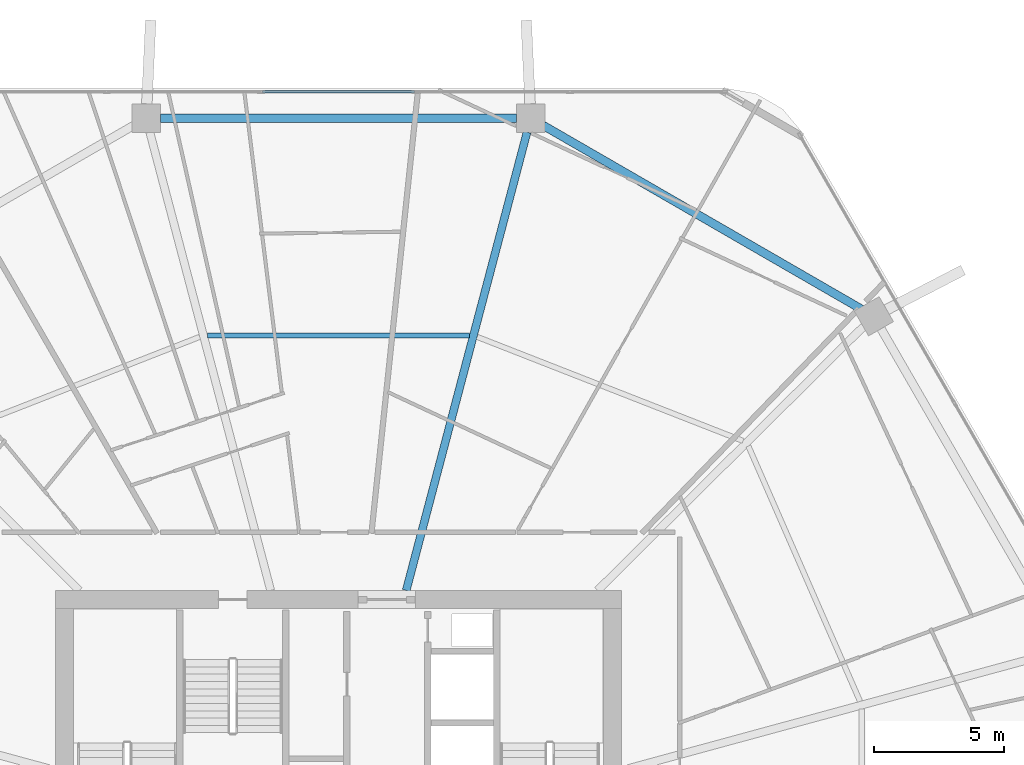
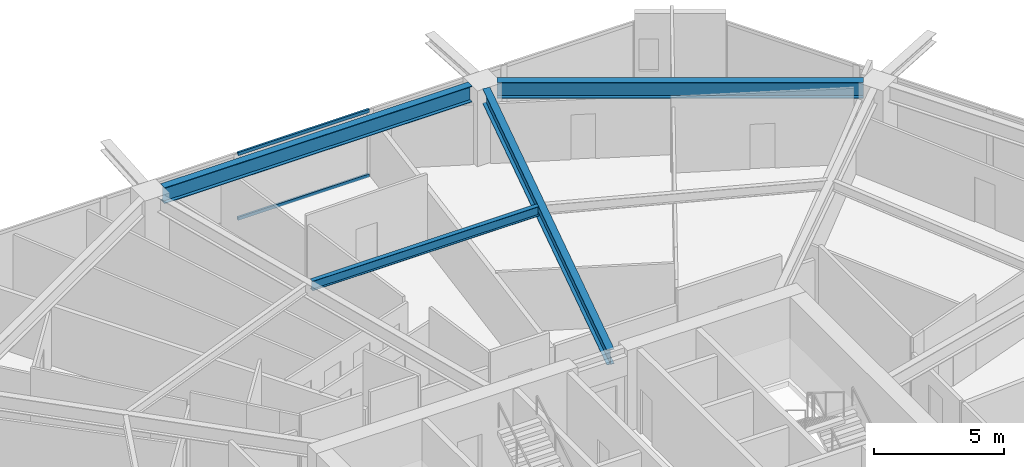
# One storey, part 19 of 33: 4 beams, 2 members, 1 element without a shape of its own.
"""IFC4 building model written with IfcOpenShell, lengths in metres."""

from ifc_helpers import new_model, si_unit, direction, frame, origin, origin_2d, place, context, subcontext, project, spatial, hollow_rectangle, i_section, extrude, material, material_profile, profile_set, type_object, element, aggregate, save


model = new_model("IFC4")

# Units and contexts
model_context = context("Model", 3, precision=1e-05, world=origin(), true_north=direction((0.0, 1.0)))
body_context = subcontext(model_context, "Body", "Model", "MODEL_VIEW")
ifc_project = project(units=[si_unit("LENGTHUNIT", "METRE"), si_unit("AREAUNIT", "SQUARE_METRE"), si_unit("VOLUMEUNIT", "CUBIC_METRE"), si_unit("PLANEANGLEUNIT", "RADIAN"), si_unit("MASSUNIT", "GRAM", prefix="KILO")], contexts=[model_context])

# Site, building, storey
site_placement = place(None, origin())
site = spatial("IfcSite", under=ifc_project, at=site_placement, CompositionType="ELEMENT")
building_placement = place(site_placement, origin())
building = spatial("IfcBuilding", under=site, at=building_placement, Name="Zuhravey Tower", CompositionType="ELEMENT")
storey_placement = place(building_placement, frame((0.0, 0.0, 96.199951171875)))
storey = spatial("IfcBuildingStorey", under=building, at=storey_placement, Name="L23", CompositionType="ELEMENT", Elevation=96.199951171875)

# Curtain wall, members
ifc_material_1 = material(Name="Thermally broken anodised aluminium", Category="aluminium")
curtain_wall_type = type_object("IfcCurtainWallType", Name="Zone 1-2 Residential Curtain Wall CW3", PredefinedType="NOTDEFINED", material=ifc_material_1)
curtain_wall_placement = place(storey_placement, origin())
curtain_wall = element("IfcCurtainWall", 1, at=curtain_wall_placement, inside=storey, type_object=curtain_wall_type, Name="L23 CW3 CW-L23-F2-1", PredefinedType="NOTDEFINED")
ifc_material_2 = material(Name="Anodised aluminium", Category="aluminium")
ifc_material_profile_1 = material_profile(ifc_material_2, hollow_rectangle(XDim=0.090087890625, YDim=0.14990234375, WallThickness=0.0048828125, at=origin_2d()), Name="ALU-RHS-90x150x5")
ifc_profile_set_1 = profile_set([ifc_material_profile_1], Name="Anodised aluminium")
member_type = type_object("IfcMemberType", Name="Curtain-Wall Transom 90x150", PredefinedType="USERDEFINED", material=ifc_profile_set_1)
member_1_placement = place(storey_placement, frame((33.085205078125, 60.95849609375, 0.045166015625), z_axis=(1.0, 0.0, 0.0), x_axis=(0.0, 1.0, 0.0)))
member_1 = element("IfcMember", 2, at=member_1_placement, type_object=member_type, Name="CW3 transom 3.1", ObjectType="TRANSOM", PredefinedType="USERDEFINED", context=body_context, shape_type="SweptSolid", body=[
    extrude(hollow_rectangle(XDim=0.090087890625, YDim=0.14990234375, WallThickness=0.0048828125, at=origin_2d()), origin(), (0.0, 0.0, 1.0), 5.82958984375),
])
member_2_placement = place(storey_placement, frame((33.085205078125, 60.95849609375, 3.0771484375), z_axis=(1.0, 0.0, 0.0), x_axis=(0.0, 1.0, 0.0)))
member_2 = element("IfcMember", 3, at=member_2_placement, type_object=member_type, Name="CW3 transom 3.2", ObjectType="TRANSOM", PredefinedType="USERDEFINED", context=body_context, shape_type="SweptSolid", body=[
    extrude(hollow_rectangle(XDim=0.090087890625, YDim=0.14990234375, WallThickness=0.0048828125, at=origin_2d()), origin(), (0.0, 0.0, 1.0), 5.82958984375),
])
aggregate(curtain_wall, [member_1, member_2])

# Beams
ifc_material_3 = material(Name="Steel SM355", Category="steel")
ifc_material_profile_2 = material_profile(ifc_material_3, i_section(OverallWidth=0.320068359375, OverallDepth=0.75, WebThickness=0.013916015625, FlangeThickness=0.02490234375, at=origin_2d()), Name="H-750x320x14x25")
ifc_profile_set_2 = profile_set([ifc_material_profile_2], Name="Steel SM355")
beam_type_1 = type_object("IfcBeamType", Name="Perimeter Ring Beam H750x320", PredefinedType="BEAM", material=ifc_profile_set_2)
beam_1_placement = place(storey_placement, frame((56.0400390625, 52.63330078125, 3.175048828125), z_axis=(-0.866017786538, 0.500013193225, 0.0), x_axis=(-0.500013193225, -0.866017786538, 0.0)))
element("IfcBeam", 4, at=beam_1_placement, inside=storey, type_object=beam_type_1, Name="L23 PB1 BM-L23-PB-02", PredefinedType="BEAM", context=body_context, shape_type="SweptSolid", body=[
    extrude(i_section(OverallWidth=0.320068359375, OverallDepth=0.75, WebThickness=0.013916015625, FlangeThickness=0.02490234375, at=origin_2d()), origin(), (0.0, 0.0, 1.0), 14.0771484375),
])
beam_2_placement = place(storey_placement, frame((42.81689453125, 59.948486328125, 3.175048828125), z_axis=(-1.0, 0.0, 0.0), x_axis=(0.0, -1.0, 0.0)))
element("IfcBeam", 5, at=beam_2_placement, inside=storey, type_object=beam_type_1, Name="L23 PB1 BM-L23-PB-03", PredefinedType="BEAM", context=body_context, shape_type="SweptSolid", body=[
    extrude(i_section(OverallWidth=0.320068359375, OverallDepth=0.75, WebThickness=0.013916015625, FlangeThickness=0.02490234375, at=origin_2d()), origin(), (0.0, 0.0, 1.0), 13.6337890625),
])
ifc_material_profile_3 = material_profile(ifc_material_3, i_section(OverallWidth=0.300048828125, OverallDepth=0.699951171875, WebThickness=0.012939453125, FlangeThickness=0.02392578125, at=origin_2d()), Name="H-700x300x13x24")
ifc_profile_set_3 = profile_set([ifc_material_profile_3], Name="Steel SM355")
beam_type_2 = type_object("IfcBeamType", Name="Radial Primary Girder H700x300", PredefinedType="BEAM", material=ifc_profile_set_3)
beam_3_placement = place(storey_placement, frame((38.59814453125, 41.85302734375, 3.199951171875), z_axis=(0.25498755891, 0.966944333869, 0.0), x_axis=(-0.966944333869, 0.25498755891, 0.0)))
element("IfcBeam", 6, at=beam_3_placement, inside=storey, type_object=beam_type_2, Name="L23 RG1 BM-L23-RAD-03", PredefinedType="BEAM", context=body_context, shape_type="SweptSolid", body=[
    extrude(i_section(OverallWidth=0.300048828125, OverallDepth=0.699951171875, WebThickness=0.012939453125, FlangeThickness=0.02392578125, at=origin_2d()), origin(), (0.0, 0.0, 1.0), 18.1611328125),
])
ifc_material_profile_4 = material_profile(ifc_material_3, i_section(OverallWidth=0.199951171875, OverallDepth=0.449951171875, WebThickness=0.009033203125, FlangeThickness=0.013916015625, at=origin_2d()), Name="H-450x200x9x14")
ifc_profile_set_4 = profile_set([ifc_material_profile_4], Name="Steel SM355")
beam_type_3 = type_object("IfcBeamType", Name="Secondary Floor Joist H450x200", PredefinedType="JOIST", material=ifc_profile_set_4)
beam_4_placement = place(storey_placement, frame((41.02099609375, 51.62451171875, 3.324951171875), z_axis=(-1.0, 0.0, 0.0), x_axis=(0.0, -1.0, 0.0)))
element("IfcBeam", 7, at=beam_4_placement, inside=storey, type_object=beam_type_3, Name="L23 SJ1 BM-L23-SJ-03-1", PredefinedType="JOIST", context=body_context, shape_type="SweptSolid", body=[
    extrude(i_section(OverallWidth=0.199951171875, OverallDepth=0.449951171875, WebThickness=0.009033203125, FlangeThickness=0.013916015625, at=origin_2d()), origin(), (0.0, 0.0, 1.0), 10.0419921875),
])

save(model, "model.ifc")
